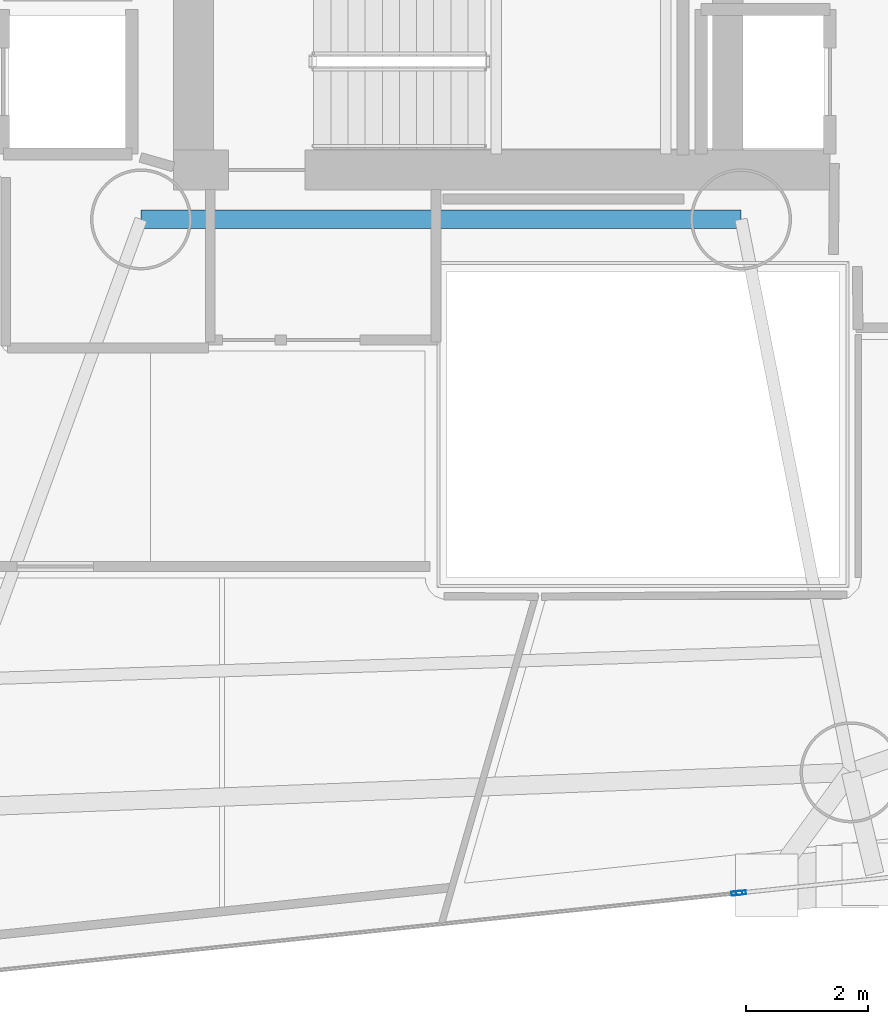
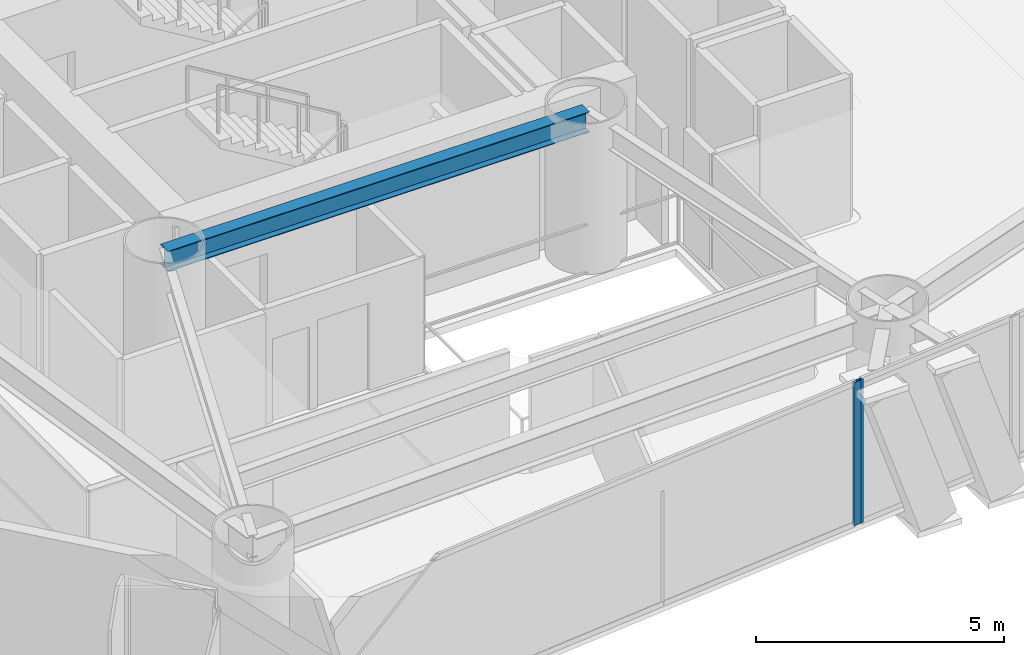
# One storey, part 5 of 23: 2 members, 1 beam, 2 elements without a shape of their own.
"""IFC4 building model written with IfcOpenShell, lengths in metres."""

from ifc_helpers import new_model, si_unit, direction, frame, origin, origin_2d, place, context, subcontext, project, spatial, hollow_rectangle, i_section, extrude, material, layer, layer_set, material_profile, profile_set, type_object, element, aggregate, save


model = new_model("IFC4")

# Units and contexts
model_context = context("Model", 3, precision=1e-05, world=origin(), true_north=direction((0.0, 1.0)))
body_context = subcontext(model_context, "Body", "Model", "MODEL_VIEW")
ifc_project = project(units=[si_unit("LENGTHUNIT", "METRE"), si_unit("AREAUNIT", "SQUARE_METRE"), si_unit("VOLUMEUNIT", "CUBIC_METRE"), si_unit("PLANEANGLEUNIT", "RADIAN"), si_unit("MASSUNIT", "GRAM", prefix="KILO")], contexts=[model_context])

# Site, building, storey
site_placement = place(None, origin())
site = spatial("IfcSite", under=ifc_project, at=site_placement, CompositionType="ELEMENT")
building_placement = place(site_placement, origin())
building = spatial("IfcBuilding", under=site, at=building_placement, Name="Qianvela Tower", CompositionType="ELEMENT")
storey_placement = place(building_placement, frame((0.0, 0.0, 67.300048828125)))
storey = spatial("IfcBuildingStorey", under=building, at=storey_placement, Name="L16", CompositionType="ELEMENT", Elevation=67.300048828125)

# Beam
ifc_material_1 = material(Name="Steel Q355B", Category="steel")
ifc_material_profile_1 = material_profile(ifc_material_1, i_section(OverallWidth=0.300048828125, OverallDepth=0.5, WebThickness=0.010986328125, FlangeThickness=0.01806640625, at=origin_2d()), Name="HM500x300x11x18")
ifc_profile_set_1 = profile_set([ifc_material_profile_1], Name="Steel Q355B")
beam_type = type_object("IfcBeamType", Name="BM-HM500-COLL", PredefinedType="BEAM", material=ifc_profile_set_1)
beam_placement = place(storey_placement, frame((28.60009765625, 23.85009765625, 3.26806640625), z_axis=(1.0, 0.0, 0.0), x_axis=(0.0, 1.0, 0.0)))
element("IfcBeam", 1, at=beam_placement, inside=storey, type_object=beam_type, Name="L16 Core Ring Collector Girder CC1", PredefinedType="BEAM", context=body_context, shape_type="SweptSolid", body=[
    extrude(i_section(OverallWidth=0.300048828125, OverallDepth=0.5, WebThickness=0.010986328125, FlangeThickness=0.01806640625, at=origin_2d()), origin(), (0.0, 0.0, 1.0), 9.7998046875),
])

# Curtain wall, member
ifc_material_2 = material(Name="Anodised Architectural Aluminium and Insulated Spandrel Panel", Category="aluminium")
ifc_layer_1 = layer(ifc_material_2, 0.179931640625)
ifc_layer_set_1 = layer_set([ifc_layer_1], Name="Anodised Architectural Aluminium and Insulated Spandrel Panel")
curtain_wall_type_1 = type_object("IfcCurtainWallType", Name="CW-BRACEBAY", PredefinedType="USERDEFINED", material=ifc_layer_set_1)
curtain_wall_1_placement = place(storey_placement, origin())
curtain_wall_1 = element("IfcCurtainWall", 2, at=curtain_wall_1_placement, inside=storey, type_object=curtain_wall_type_1, Name="L16 CW-BRACEBAY Curtain Wall 06B", ObjectType="CURTAIN_WALL_SYSTEM", PredefinedType="USERDEFINED")
ifc_material_3 = material(Name="Anodised Architectural Aluminium 6063-T6", Category="aluminium")
ifc_material_profile_2 = material_profile(ifc_material_3, hollow_rectangle(XDim=0.06494140625, YDim=0.159912109375, WallThickness=0.0048828125, at=origin_2d()), Name="ALU-MULL-65x160")
ifc_profile_set_2 = profile_set([ifc_material_profile_2], Name="Anodised Architectural Aluminium 6063-T6")
member_type_1 = type_object("IfcMemberType", Name="CW-BRACEBAY-MULL", PredefinedType="MULLION", material=ifc_profile_set_2)
member_1_placement = place(storey_placement, frame((38.40087890625, 12.851806640625, 0.0), z_axis=(0.0, 0.0, 1.0), x_axis=(-0.103704326587, 0.99460817041, 0.0)))
member_1 = element("IfcMember", 3, at=member_1_placement, type_object=member_type_1, Name="CW-9 mullion 1", PredefinedType="MULLION", context=body_context, shape_type="SweptSolid", body=[
    extrude(hollow_rectangle(XDim=0.06494140625, YDim=0.159912109375, WallThickness=0.0048828125, at=origin_2d()), origin(), (0.0, 0.0, 1.0), 3.52001953125),
])
aggregate(curtain_wall_1, [member_1])

ifc_material_4 = material(Name="Anodised Architectural Aluminium and Low-E Glass", Category="aluminium")
ifc_layer_2 = layer(ifc_material_4, 0.179931640625)
ifc_layer_set_2 = layer_set([ifc_layer_2], Name="Anodised Architectural Aluminium and Low-E Glass")
curtain_wall_type_2 = type_object("IfcCurtainWallType", Name="CW-COLIV-Z12", PredefinedType="USERDEFINED", material=ifc_layer_set_2)
curtain_wall_2_placement = place(storey_placement, origin())
curtain_wall_2 = element("IfcCurtainWall", 4, at=curtain_wall_2_placement, inside=storey, type_object=curtain_wall_type_2, Name="L16 CW-COLIV-Z12 Curtain Wall 06A", ObjectType="CURTAIN_WALL_SYSTEM", PredefinedType="USERDEFINED")
ifc_material_5 = material(Name="Anodised Architectural Aluminium 6063-T6", Category="aluminium")
ifc_material_profile_3 = material_profile(ifc_material_5, hollow_rectangle(XDim=0.070068359375, YDim=0.179931640625, WallThickness=0.0048828125, at=origin_2d()), Name="ALU-MULL-70x180")
ifc_profile_set_3 = profile_set([ifc_material_profile_3], Name="Anodised Architectural Aluminium 6063-T6")
member_type_2 = type_object("IfcMemberType", Name="CW-COLIV-Z12-MULL", PredefinedType="MULLION", material=ifc_profile_set_3)
member_2_placement = place(storey_placement, frame((38.333740234375, 12.8447265625, 0.0), z_axis=(0.0, 0.0, 1.0), x_axis=(-0.103716550137, 0.994606895827, 0.0)))
member_2 = element("IfcMember", 5, at=member_2_placement, type_object=member_type_2, Name="CW-3 mullion 2", PredefinedType="MULLION", context=body_context, shape_type="SweptSolid", body=[
    extrude(hollow_rectangle(XDim=0.070068359375, YDim=0.179931640625, WallThickness=0.0048828125, at=origin_2d()), origin(), (0.0, 0.0, 1.0), 3.52001953125),
])
aggregate(curtain_wall_2, [member_2])

save(model, "model.ifc")
